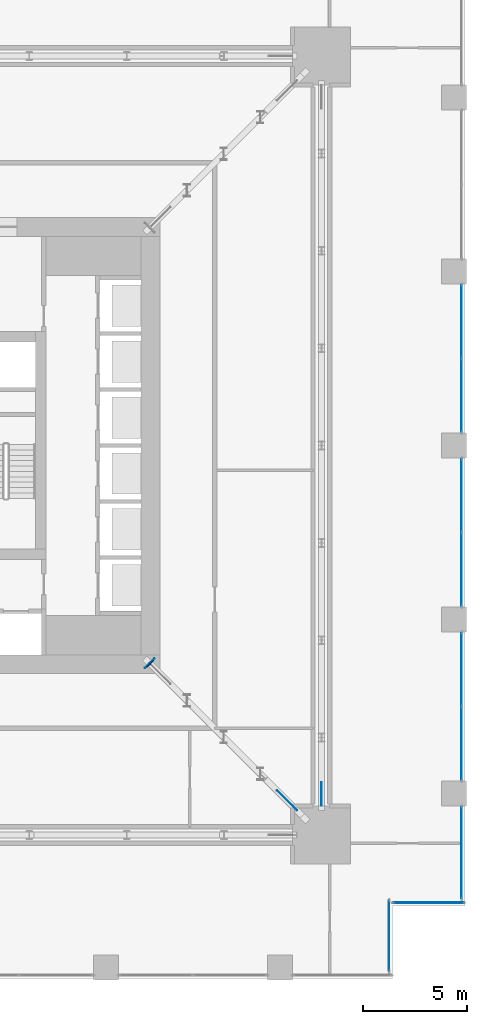
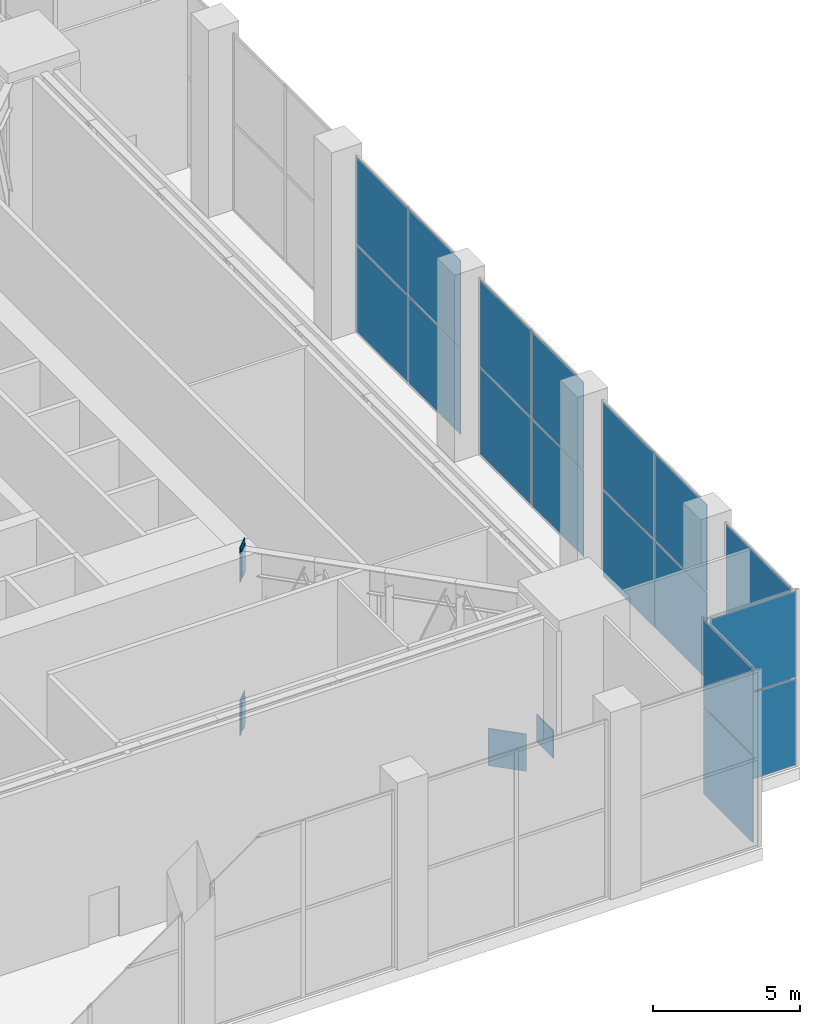
# One storey, part 13 of 21: 24 plates, 6 elements without a shape of their own.
"""IFC4 building model written with IfcOpenShell, lengths in metres."""

from ifc_helpers import new_model, si_unit, direction, frame, origin, origin_2d, place, context, subcontext, project, spatial, rectangle, extrude, material, layer, layer_set, type_object, element, aggregate, save


model = new_model("IFC4")

# Units and contexts
model_context = context("Model", 3, precision=1e-05, world=origin(), true_north=direction((0.0, 1.0)))
body_context = subcontext(model_context, "Body", "Model", "MODEL_VIEW")
ifc_project = project(units=[si_unit("LENGTHUNIT", "METRE"), si_unit("AREAUNIT", "SQUARE_METRE"), si_unit("VOLUMEUNIT", "CUBIC_METRE"), si_unit("PLANEANGLEUNIT", "RADIAN"), si_unit("MASSUNIT", "GRAM", prefix="KILO")], contexts=[model_context])

# Site, building, storey
site_placement = place(None, origin())
site = spatial("IfcSite", under=ifc_project, at=site_placement, CompositionType="ELEMENT")
building_placement = place(site_placement, origin())
building = spatial("IfcBuilding", under=site, at=building_placement, Name="Khepri Terraces", CompositionType="ELEMENT")
storey_placement = place(building_placement, frame((0.0, 0.0, 126.0)))
storey = spatial("IfcBuildingStorey", under=building, at=storey_placement, Name="L30", CompositionType="ELEMENT", Elevation=126.0)

# Curtain wall, plates
ifc_material_1 = material(Name="Anodised aluminium bronze curtain wall", Category="aluminium")
curtain_wall_type = type_object("IfcCurtainWallType", Name="CW-SYS3-SKY", PredefinedType="NOTDEFINED", material=ifc_material_1)
curtain_wall_1_placement = place(storey_placement, origin())
curtain_wall_1 = element("IfcCurtainWall", 1, at=curtain_wall_1_placement, inside=storey, type_object=curtain_wall_type, Name="Curtain wall CW3 L30 E", PredefinedType="NOTDEFINED")
ifc_material_2 = material(Name="Clear glass", Category="glass")
ifc_layer_1 = layer(ifc_material_2, 0.028076171875, Name="Clear glass", Category="glass")
ifc_layer_set_1 = layer_set([ifc_layer_1], Name="Clear glass")
plate_type_1 = type_object("IfcPlateType", Name="CW-PANEL-VISION-28", PredefinedType="CURTAIN_PANEL", material=ifc_layer_set_1)
plate_1_placement = place(storey_placement, frame((25.570068359375, -19.659912109375, 0.06005859375), z_axis=(0.0, 0.0, 1.0), x_axis=(0.0, 1.0, 0.0)))
plate_1 = element("IfcPlate", 2, at=plate_1_placement, type_object=plate_type_1, Name="CW3 panel 1.1", PredefinedType="CURTAIN_PANEL", context=body_context, shape_type="SweptSolid", body=[
    extrude(rectangle(XDim=4.39990234375, YDim=0.028076171875, at=origin_2d()), origin(), (0.0, 0.0, 1.0), 3.60009765625),
])
plate_2_placement = place(storey_placement, frame((25.570068359375, -19.659912109375, 3.719970703125), z_axis=(0.0, 0.0, 1.0), x_axis=(0.0, 1.0, 0.0)))
plate_2 = element("IfcPlate", 3, at=plate_2_placement, type_object=plate_type_1, Name="CW3 panel 1.2", PredefinedType="CURTAIN_PANEL", context=body_context, shape_type="SweptSolid", body=[
    extrude(rectangle(XDim=4.39990234375, YDim=0.028076171875, at=origin_2d()), origin(), (0.0, 0.0, 1.0), 3.60009765625),
])
aggregate(curtain_wall_1, [plate_1, plate_2])

curtain_wall_2_placement = place(storey_placement, origin())
curtain_wall_2 = element("IfcCurtainWall", 4, at=curtain_wall_2_placement, inside=storey, type_object=curtain_wall_type, Name="Curtain wall CW3 L30 E", PredefinedType="NOTDEFINED")
plate_3_placement = place(storey_placement, frame((25.570068359375, -14.385009765625, 0.06005859375), z_axis=(0.0, 0.0, 1.0), x_axis=(0.0, 1.0, 0.0)))
plate_3 = element("IfcPlate", 5, at=plate_3_placement, type_object=plate_type_1, Name="CW3 panel 1.1", PredefinedType="CURTAIN_PANEL", context=body_context, shape_type="SweptSolid", body=[
    extrude(rectangle(XDim=3.510009765625, YDim=0.028076171875, at=origin_2d()), origin(), (0.0, 0.0, 1.0), 3.60009765625),
])
plate_4_placement = place(storey_placement, frame((25.570068359375, -14.385009765625, 3.719970703125), z_axis=(0.0, 0.0, 1.0), x_axis=(0.0, 1.0, 0.0)))
plate_4 = element("IfcPlate", 6, at=plate_4_placement, type_object=plate_type_1, Name="CW3 panel 1.2", PredefinedType="CURTAIN_PANEL", context=body_context, shape_type="SweptSolid", body=[
    extrude(rectangle(XDim=3.510009765625, YDim=0.028076171875, at=origin_2d()), origin(), (0.0, 0.0, 1.0), 3.60009765625),
])
plate_5_placement = place(storey_placement, frame((25.570068359375, -10.81494140625, 0.06005859375), z_axis=(0.0, 0.0, 1.0), x_axis=(0.0, 1.0, 0.0)))
plate_5 = element("IfcPlate", 7, at=plate_5_placement, type_object=plate_type_1, Name="CW3 panel 2.1", PredefinedType="CURTAIN_PANEL", context=body_context, shape_type="SweptSolid", body=[
    extrude(rectangle(XDim=3.510009765625, YDim=0.028076171875, at=origin_2d()), origin(), (0.0, 0.0, 1.0), 3.60009765625),
])
plate_6_placement = place(storey_placement, frame((25.570068359375, -10.81494140625, 3.719970703125), z_axis=(0.0, 0.0, 1.0), x_axis=(0.0, 1.0, 0.0)))
plate_6 = element("IfcPlate", 8, at=plate_6_placement, type_object=plate_type_1, Name="CW3 panel 2.2", PredefinedType="CURTAIN_PANEL", context=body_context, shape_type="SweptSolid", body=[
    extrude(rectangle(XDim=3.510009765625, YDim=0.028076171875, at=origin_2d()), origin(), (0.0, 0.0, 1.0), 3.60009765625),
])
aggregate(curtain_wall_2, [plate_3, plate_4, plate_5, plate_6])

curtain_wall_3_placement = place(storey_placement, origin())
curtain_wall_3 = element("IfcCurtainWall", 9, at=curtain_wall_3_placement, inside=storey, type_object=curtain_wall_type, Name="Curtain wall CW3 L30 E", PredefinedType="NOTDEFINED")
plate_7_placement = place(storey_placement, frame((25.570068359375, -5.985107421875, 0.06005859375), z_axis=(0.0, 0.0, 1.0), x_axis=(0.0, 1.0, 0.0)))
plate_7 = element("IfcPlate", 10, at=plate_7_placement, type_object=plate_type_1, Name="CW3 panel 1.1", PredefinedType="CURTAIN_PANEL", context=body_context, shape_type="SweptSolid", body=[
    extrude(rectangle(XDim=3.510009765625, YDim=0.028076171875, at=origin_2d()), origin(), (0.0, 0.0, 1.0), 3.60009765625),
])
plate_8_placement = place(storey_placement, frame((25.570068359375, -5.985107421875, 3.719970703125), z_axis=(0.0, 0.0, 1.0), x_axis=(0.0, 1.0, 0.0)))
plate_8 = element("IfcPlate", 11, at=plate_8_placement, type_object=plate_type_1, Name="CW3 panel 1.2", PredefinedType="CURTAIN_PANEL", context=body_context, shape_type="SweptSolid", body=[
    extrude(rectangle(XDim=3.510009765625, YDim=0.028076171875, at=origin_2d()), origin(), (0.0, 0.0, 1.0), 3.60009765625),
])
plate_9_placement = place(storey_placement, frame((25.570068359375, -2.4150390625, 0.06005859375), z_axis=(0.0, 0.0, 1.0), x_axis=(0.0, 1.0, 0.0)))
plate_9 = element("IfcPlate", 12, at=plate_9_placement, type_object=plate_type_1, Name="CW3 panel 2.1", PredefinedType="CURTAIN_PANEL", context=body_context, shape_type="SweptSolid", body=[
    extrude(rectangle(XDim=3.510009765625, YDim=0.028076171875, at=origin_2d()), origin(), (0.0, 0.0, 1.0), 3.60009765625),
])
plate_10_placement = place(storey_placement, frame((25.570068359375, -2.4150390625, 3.719970703125), z_axis=(0.0, 0.0, 1.0), x_axis=(0.0, 1.0, 0.0)))
plate_10 = element("IfcPlate", 13, at=plate_10_placement, type_object=plate_type_1, Name="CW3 panel 2.2", PredefinedType="CURTAIN_PANEL", context=body_context, shape_type="SweptSolid", body=[
    extrude(rectangle(XDim=3.510009765625, YDim=0.028076171875, at=origin_2d()), origin(), (0.0, 0.0, 1.0), 3.60009765625),
])
aggregate(curtain_wall_3, [plate_7, plate_8, plate_9, plate_10])

curtain_wall_4_placement = place(storey_placement, origin())
curtain_wall_4 = element("IfcCurtainWall", 14, at=curtain_wall_4_placement, inside=storey, type_object=curtain_wall_type, Name="Curtain wall CW3 L30 E", PredefinedType="NOTDEFINED")
plate_11_placement = place(storey_placement, frame((25.570068359375, 2.4150390625, 0.06005859375), z_axis=(0.0, 0.0, 1.0), x_axis=(0.0, 1.0, 0.0)))
plate_11 = element("IfcPlate", 15, at=plate_11_placement, type_object=plate_type_1, Name="CW3 panel 1.1", PredefinedType="CURTAIN_PANEL", context=body_context, shape_type="SweptSolid", body=[
    extrude(rectangle(XDim=3.510009765625, YDim=0.028076171875, at=origin_2d()), origin(), (0.0, 0.0, 1.0), 3.60009765625),
])
plate_12_placement = place(storey_placement, frame((25.570068359375, 2.4150390625, 3.719970703125), z_axis=(0.0, 0.0, 1.0), x_axis=(0.0, 1.0, 0.0)))
plate_12 = element("IfcPlate", 16, at=plate_12_placement, type_object=plate_type_1, Name="CW3 panel 1.2", PredefinedType="CURTAIN_PANEL", context=body_context, shape_type="SweptSolid", body=[
    extrude(rectangle(XDim=3.510009765625, YDim=0.028076171875, at=origin_2d()), origin(), (0.0, 0.0, 1.0), 3.60009765625),
])
plate_13_placement = place(storey_placement, frame((25.570068359375, 5.985107421875, 0.06005859375), z_axis=(0.0, 0.0, 1.0), x_axis=(0.0, 1.0, 0.0)))
plate_13 = element("IfcPlate", 17, at=plate_13_placement, type_object=plate_type_1, Name="CW3 panel 2.1", PredefinedType="CURTAIN_PANEL", context=body_context, shape_type="SweptSolid", body=[
    extrude(rectangle(XDim=3.510009765625, YDim=0.028076171875, at=origin_2d()), origin(), (0.0, 0.0, 1.0), 3.60009765625),
])
plate_14_placement = place(storey_placement, frame((25.570068359375, 5.985107421875, 3.719970703125), z_axis=(0.0, 0.0, 1.0), x_axis=(0.0, 1.0, 0.0)))
plate_14 = element("IfcPlate", 18, at=plate_14_placement, type_object=plate_type_1, Name="CW3 panel 2.2", PredefinedType="CURTAIN_PANEL", context=body_context, shape_type="SweptSolid", body=[
    extrude(rectangle(XDim=3.510009765625, YDim=0.028076171875, at=origin_2d()), origin(), (0.0, 0.0, 1.0), 3.60009765625),
])
aggregate(curtain_wall_4, [plate_11, plate_12, plate_13, plate_14])

curtain_wall_5_placement = place(storey_placement, origin())
curtain_wall_5 = element("IfcCurtainWall", 19, at=curtain_wall_5_placement, inside=storey, type_object=curtain_wall_type, Name="Curtain wall CW3 L30 E", PredefinedType="NOTDEFINED")
plate_15_placement = place(storey_placement, frame((22.070068359375, -23.669921875, 0.06005859375), z_axis=(0.0, 0.0, 1.0), x_axis=(0.0, 1.0, 0.0)))
plate_15 = element("IfcPlate", 20, at=plate_15_placement, type_object=plate_type_1, Name="CW3 panel 1.1", PredefinedType="CURTAIN_PANEL", context=body_context, shape_type="SweptSolid", body=[
    extrude(rectangle(XDim=3.3798828125, YDim=0.028076171875, at=origin_2d()), origin(), (0.0, 0.0, 1.0), 3.60009765625),
])
plate_16_placement = place(storey_placement, frame((22.070068359375, -23.669921875, 3.719970703125), z_axis=(0.0, 0.0, 1.0), x_axis=(0.0, 1.0, 0.0)))
plate_16 = element("IfcPlate", 21, at=plate_16_placement, type_object=plate_type_1, Name="CW3 panel 1.2", PredefinedType="CURTAIN_PANEL", context=body_context, shape_type="SweptSolid", body=[
    extrude(rectangle(XDim=3.3798828125, YDim=0.028076171875, at=origin_2d()), origin(), (0.0, 0.0, 1.0), 3.60009765625),
])
aggregate(curtain_wall_5, [plate_15, plate_16])

curtain_wall_6_placement = place(storey_placement, origin())
curtain_wall_6 = element("IfcCurtainWall", 22, at=curtain_wall_6_placement, inside=storey, type_object=curtain_wall_type, Name="Curtain wall CW3 L30 S", PredefinedType="NOTDEFINED")
plate_17_placement = place(storey_placement, frame((23.969970703125, -22.070068359375, 0.06005859375), z_axis=(0.0, 0.0, 1.0), x_axis=(1.0, 0.0, 0.0)))
plate_17 = element("IfcPlate", 23, at=plate_17_placement, type_object=plate_type_1, Name="CW3 panel 1.1", PredefinedType="CURTAIN_PANEL", context=body_context, shape_type="SweptSolid", body=[
    extrude(rectangle(XDim=3.3798828125, YDim=0.028076171875, at=origin_2d()), origin(), (0.0, 0.0, 1.0), 3.60009765625),
])
plate_18_placement = place(storey_placement, frame((23.969970703125, -22.070068359375, 3.719970703125), z_axis=(0.0, 0.0, 1.0), x_axis=(1.0, 0.0, 0.0)))
plate_18 = element("IfcPlate", 24, at=plate_18_placement, type_object=plate_type_1, Name="CW3 panel 1.2", PredefinedType="CURTAIN_PANEL", context=body_context, shape_type="SweptSolid", body=[
    extrude(rectangle(XDim=3.3798828125, YDim=0.028076171875, at=origin_2d()), origin(), (0.0, 0.0, 1.0), 3.60009765625),
])
aggregate(curtain_wall_6, [plate_17, plate_18])

# Plates
ifc_material_3 = material(Name="Steel S355", Category="steel")
ifc_layer_2 = layer(ifc_material_3, 0.034912109375, Name="Steel S355", Category="steel")
ifc_layer_set_2 = layer_set([ifc_layer_2], Name="Steel S355")
plate_type_2 = type_object("IfcPlateType", Name="Cast-in plate 1450x650x35", PredefinedType="USERDEFINED", material=ifc_layer_set_2)
for number, where, z_axis, x_axis, name in (
    (25, (10.50927734375, -10.50927734375, -0.22119140625), (0.0, 0.0, 1.0), (0.707106781187, -0.707106781187, 0.0), "CAST-IN PLATE OT-30-ES BOT wall A"),
    (26, (10.50927734375, -10.50927734375, 6.15087890625), (0.0, 0.0, 1.0), (0.707106781187, -0.707106781187, 0.0), "CAST-IN PLATE OT-30-ES TOP wall A"),
):
    element("IfcPlate", number, at=place(storey_placement, frame(where, z_axis=z_axis, x_axis=x_axis)), inside=storey, type_object=plate_type_2, Name=name, ObjectType="CAST-IN PLATE", PredefinedType="USERDEFINED", context=body_context, shape_type="SweptSolid", body=[
        extrude(rectangle(XDim=0.034912109375, YDim=0.64990234375, at=origin_2d()), origin(), (0.0, 0.0, 1.0), 1.449951171875),
    ])
ifc_layer_3 = layer(ifc_material_3, 0.0400390625, Name="Steel S355", Category="steel")
ifc_layer_set_3 = layer_set([ifc_layer_3], Name="Steel S355")
plate_type_3 = type_object("IfcPlateType", Name="End plate 1150x450x40", PredefinedType="USERDEFINED", material=ifc_layer_set_3)
for number, where, z_axis, x_axis, name in (
    (27, (10.535888671875, -10.535888671875, -0.071044921875), (0.0, 0.0, 1.0), (0.707106781187, -0.707106781187, 0.0), "END PLATE OT-30-ES BOT end A"),
    (28, (10.535888671875, -10.535888671875, 6.301025390625), (0.0, 0.0, 1.0), (0.707106781187, -0.707106781187, 0.0), "END PLATE OT-30-ES TOP end A"),
):
    element("IfcPlate", number, at=place(storey_placement, frame(where, z_axis=z_axis, x_axis=x_axis)), inside=storey, type_object=plate_type_3, Name=name, ObjectType="END PLATE", PredefinedType="USERDEFINED", context=body_context, shape_type="SweptSolid", body=[
        extrude(rectangle(XDim=0.0400390625, YDim=0.449951171875, at=origin_2d()), origin(), (0.0, 0.0, 1.0), 1.14990234375),
    ])
ifc_layer_4 = layer(ifc_material_3, 0.030029296875, Name="Steel S355", Category="steel")
ifc_layer_set_4 = layer_set([ifc_layer_4], Name="Steel S355")
plate_type_4 = type_object("IfcPlateType", Name="Gusset plate 1150x1150x30", PredefinedType="USERDEFINED", material=ifc_layer_set_4)
plate_19_placement = place(storey_placement, frame((18.800048828125, -16.824951171875, -0.099853515625), z_axis=(0.0, 0.0, 1.0), x_axis=(0.0, 1.0, 0.0)))
element("IfcPlate", 29, at=plate_19_placement, inside=storey, type_object=plate_type_4, Name="GUSSET PLATE BT-30-E column node A", ObjectType="GUSSET PLATE", PredefinedType="USERDEFINED", context=body_context, shape_type="SweptSolid", body=[
    extrude(rectangle(XDim=1.14990234375, YDim=0.030029296875, at=origin_2d()), origin(), (0.0, 0.0, 1.0), 1.14990234375),
])
ifc_layer_5 = layer(ifc_material_3, 0.034912109375, Name="Steel S355", Category="steel")
ifc_layer_set_5 = layer_set([ifc_layer_5], Name="Steel S355")
plate_type_5 = type_object("IfcPlateType", Name="Gusset plate 1350x1550x35", PredefinedType="USERDEFINED", material=ifc_layer_set_5)
plate_20_placement = place(storey_placement, frame((17.134765625, -17.134765625, -0.10009765625), z_axis=(0.0, 0.0, 1.0), x_axis=(0.707106781187, -0.707106781187, 0.0)))
element("IfcPlate", 30, at=plate_20_placement, inside=storey, type_object=plate_type_5, Name="GUSSET PLATE OT-30-ES column node B", ObjectType="GUSSET PLATE", PredefinedType="USERDEFINED", context=body_context, shape_type="SweptSolid", body=[
    extrude(rectangle(XDim=1.35009765625, YDim=0.034912109375, at=origin_2d()), origin(), (0.0, 0.0, 1.0), 1.550048828125),
])

save(model, "model.ifc")
